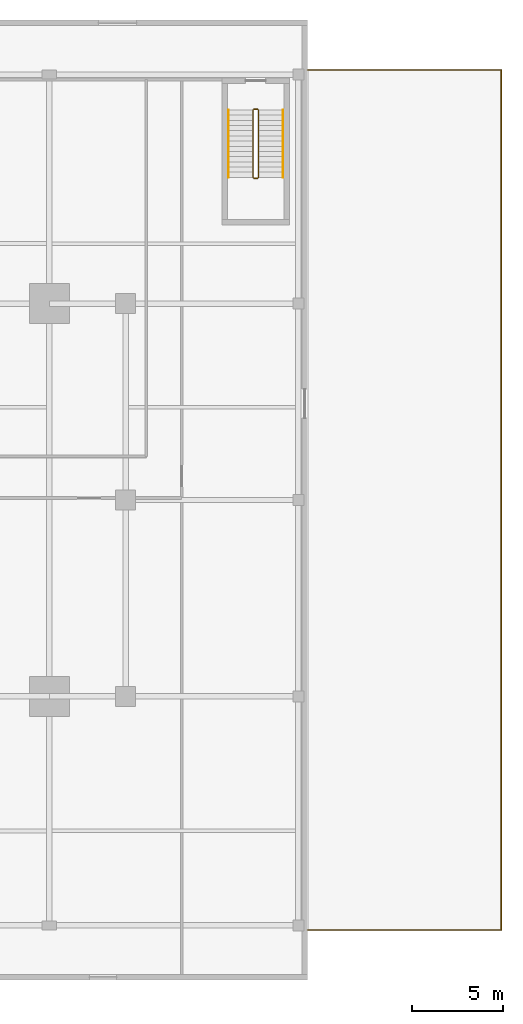
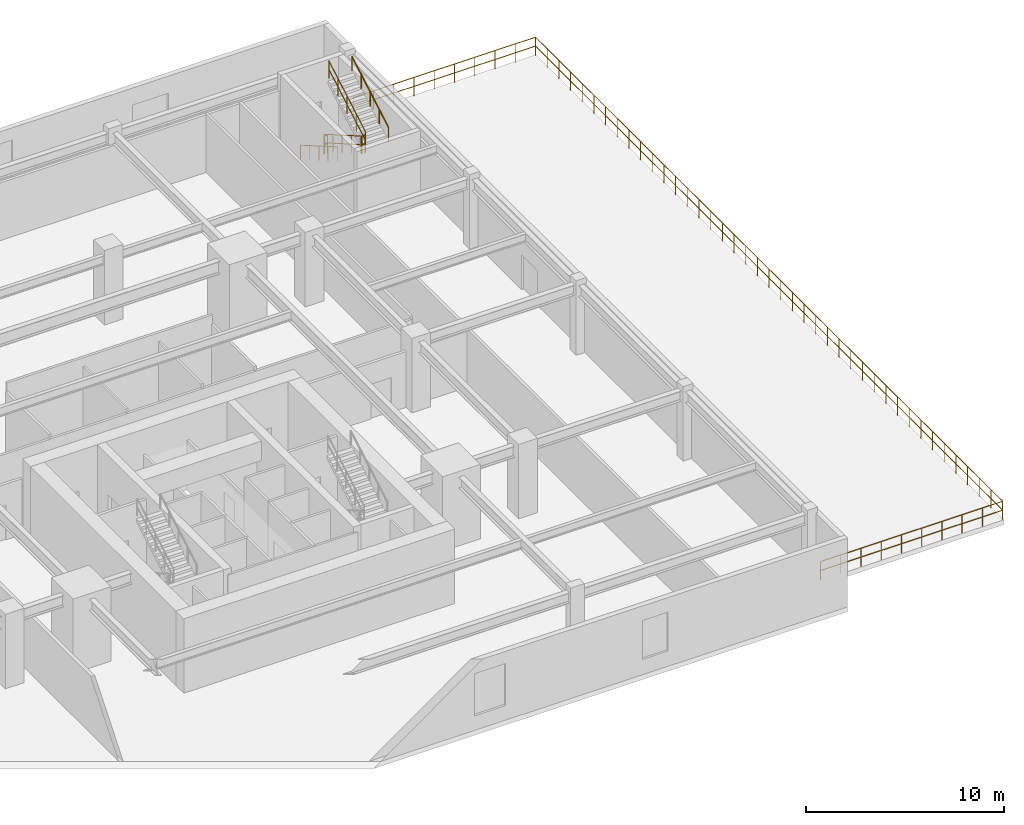
# One storey, part 8 of 9: 9 railings.
"""IFC4 building model written with IfcOpenShell, lengths in metres."""

from ifc_helpers import new_model, si_unit, direction, frame, origin, origin_2d, place, context, subcontext, project, spatial, circle, extrude, material, layer, layer_set, type_object, element, save


model = new_model("IFC4")

# Units and contexts
model_context = context("Model", 3, precision=1e-05, world=origin(), true_north=direction((0.0, 1.0)))
body_context = subcontext(model_context, "Body", "Model", "MODEL_VIEW")
ifc_project = project(units=[si_unit("LENGTHUNIT", "METRE"), si_unit("AREAUNIT", "SQUARE_METRE"), si_unit("VOLUMEUNIT", "CUBIC_METRE"), si_unit("PLANEANGLEUNIT", "RADIAN"), si_unit("MASSUNIT", "GRAM", prefix="KILO")], contexts=[model_context])

# Site, building, storey
site_placement = place(None, origin())
site = spatial("IfcSite", under=ifc_project, at=site_placement, CompositionType="ELEMENT")
building_placement = place(site_placement, origin())
building = spatial("IfcBuilding", under=site, at=building_placement, Name="Krantzveldt Concourse Tower", CompositionType="ELEMENT")
storey_placement = place(building_placement, frame((0.0, 0.0, 15.39990234375)))
storey = spatial("IfcBuildingStorey", under=building, at=storey_placement, Name="L03", CompositionType="ELEMENT", Elevation=15.39990234375)

# Railings
ifc_material = material(Name="Stainless steel 316L", Category="steel")
ifc_layer_1 = layer(ifc_material, 0.080078125, Name="Stainless steel 316L", Category="steel")
ifc_layer_set_1 = layer_set([ifc_layer_1], Name="Stainless steel 316L (RL-BALUSTRADE-1150)")
railing_type_1 = type_object("IfcRailingType", Name="RL-BALUSTRADE-1150", PredefinedType="BALUSTRADE", material=ifc_layer_set_1)
railing_1_placement = place(storey_placement, frame((61.0, 3.050048828125, 0.0)))
element("IfcRailing", 1, at=railing_1_placement, inside=storey, type_object=railing_type_1, Name="GD-L03-TE-01", PredefinedType="BALUSTRADE", context=body_context, shape_type="SweptSolid", body=[
    extrude(circle(Radius=0.02392578125, at=origin_2d()), frame((0.0, 0.0, 1.1259765625), z_axis=(1.0, 0.0, 0.0), x_axis=(0.0, 1.0, 0.0)), (0.0, 0.0, 1.0), 10.64990234375),
    extrude(circle(Radius=0.02392578125, at=origin_2d()), frame((0.0, 0.0, 0.574951171875), z_axis=(1.0, 0.0, 0.0), x_axis=(0.0, 1.0, 0.0)), (0.0, 0.0, 1.0), 10.64990234375),
    extrude(circle(Radius=0.02099609375, at=origin_2d()), origin(), (0.0, 0.0, 1.0), 1.101806640625),
    extrude(circle(Radius=0.02099609375, at=origin_2d()), frame((1.183349609375, 0.0, 0.0)), (0.0, 0.0, 1.0), 1.101806640625),
    extrude(circle(Radius=0.02099609375, at=origin_2d()), frame((2.36669921875, 0.0, 0.0)), (0.0, 0.0, 1.0), 1.101806640625),
    extrude(circle(Radius=0.02099609375, at=origin_2d()), frame((3.550048828125, 0.0, 0.0)), (0.0, 0.0, 1.0), 1.101806640625),
    extrude(circle(Radius=0.02099609375, at=origin_2d()), frame((4.7333984375, 0.0, 0.0)), (0.0, 0.0, 1.0), 1.101806640625),
    extrude(circle(Radius=0.02099609375, at=origin_2d()), frame((5.91650390625, 0.0, 0.0)), (0.0, 0.0, 1.0), 1.101806640625),
    extrude(circle(Radius=0.02099609375, at=origin_2d()), frame((7.099853515625, 0.0, 0.0)), (0.0, 0.0, 1.0), 1.101806640625),
    extrude(circle(Radius=0.02099609375, at=origin_2d()), frame((8.283203125, 0.0, 0.0)), (0.0, 0.0, 1.0), 1.101806640625),
    extrude(circle(Radius=0.02099609375, at=origin_2d()), frame((9.466552734375, 0.0, 0.0)), (0.0, 0.0, 1.0), 1.101806640625),
    extrude(circle(Radius=0.02099609375, at=origin_2d()), frame((10.64990234375, 0.0, 0.0)), (0.0, 0.0, 1.0), 1.101806640625),
])
railing_2_placement = place(storey_placement, frame((71.64990234375, 3.050048828125, 0.0)))
element("IfcRailing", 2, at=railing_2_placement, inside=storey, type_object=railing_type_1, Name="GD-L03-TE-02", PredefinedType="BALUSTRADE", context=body_context, shape_type="SweptSolid", body=[
    extrude(circle(Radius=0.02392578125, at=origin_2d()), frame((0.0, 0.0, 1.1259765625), z_axis=(0.0, 1.0, 0.0), x_axis=(-1.0, 0.0, 0.0)), (0.0, 0.0, 1.0), 47.300048828125),
    extrude(circle(Radius=0.02392578125, at=origin_2d()), frame((0.0, 0.0, 0.574951171875), z_axis=(0.0, 1.0, 0.0), x_axis=(-1.0, 0.0, 0.0)), (0.0, 0.0, 1.0), 47.300048828125),
    extrude(circle(Radius=0.02099609375, at=origin_2d()), origin(), (0.0, 0.0, 1.0), 1.101806640625),
    extrude(circle(Radius=0.02099609375, at=origin_2d()), frame((0.0, 1.1826171875, 0.0)), (0.0, 0.0, 1.0), 1.101806640625),
    extrude(circle(Radius=0.02099609375, at=origin_2d()), frame((0.0, 2.364990234375, 0.0)), (0.0, 0.0, 1.0), 1.101806640625),
    extrude(circle(Radius=0.02099609375, at=origin_2d()), frame((0.0, 3.547607421875, 0.0)), (0.0, 0.0, 1.0), 1.101806640625),
    extrude(circle(Radius=0.02099609375, at=origin_2d()), frame((0.0, 4.72998046875, 0.0)), (0.0, 0.0, 1.0), 1.101806640625),
    extrude(circle(Radius=0.02099609375, at=origin_2d()), frame((0.0, 5.91259765625, 0.0)), (0.0, 0.0, 1.0), 1.101806640625),
    extrude(circle(Radius=0.02099609375, at=origin_2d()), frame((0.0, 7.094970703125, 0.0)), (0.0, 0.0, 1.0), 1.101806640625),
    extrude(circle(Radius=0.02099609375, at=origin_2d()), frame((0.0, 8.277587890625, 0.0)), (0.0, 0.0, 1.0), 1.101806640625),
    extrude(circle(Radius=0.02099609375, at=origin_2d()), frame((0.0, 9.4599609375, 0.0)), (0.0, 0.0, 1.0), 1.101806640625),
    extrude(circle(Radius=0.02099609375, at=origin_2d()), frame((0.0, 10.642578125, 0.0)), (0.0, 0.0, 1.0), 1.101806640625),
    extrude(circle(Radius=0.02099609375, at=origin_2d()), frame((0.0, 11.824951171875, 0.0)), (0.0, 0.0, 1.0), 1.101806640625),
    extrude(circle(Radius=0.02099609375, at=origin_2d()), frame((0.0, 13.007568359375, 0.0)), (0.0, 0.0, 1.0), 1.101806640625),
    extrude(circle(Radius=0.02099609375, at=origin_2d()), frame((0.0, 14.18994140625, 0.0)), (0.0, 0.0, 1.0), 1.101806640625),
    extrude(circle(Radius=0.02099609375, at=origin_2d()), frame((0.0, 15.37255859375, 0.0)), (0.0, 0.0, 1.0), 1.101806640625),
    extrude(circle(Radius=0.02099609375, at=origin_2d()), frame((0.0, 16.554931640625, 0.0)), (0.0, 0.0, 1.0), 1.101806640625),
    extrude(circle(Radius=0.02099609375, at=origin_2d()), frame((0.0, 17.737548828125, 0.0)), (0.0, 0.0, 1.0), 1.101806640625),
    extrude(circle(Radius=0.02099609375, at=origin_2d()), frame((0.0, 18.919921875, 0.0)), (0.0, 0.0, 1.0), 1.101806640625),
    extrude(circle(Radius=0.02099609375, at=origin_2d()), frame((0.0, 20.1025390625, 0.0)), (0.0, 0.0, 1.0), 1.101806640625),
    extrude(circle(Radius=0.02099609375, at=origin_2d()), frame((0.0, 21.284912109375, 0.0)), (0.0, 0.0, 1.0), 1.101806640625),
    extrude(circle(Radius=0.02099609375, at=origin_2d()), frame((0.0, 22.467529296875, 0.0)), (0.0, 0.0, 1.0), 1.101806640625),
    extrude(circle(Radius=0.02099609375, at=origin_2d()), frame((0.0, 23.64990234375, 0.0)), (0.0, 0.0, 1.0), 1.101806640625),
    extrude(circle(Radius=0.02099609375, at=origin_2d()), frame((0.0, 24.83251953125, 0.0)), (0.0, 0.0, 1.0), 1.101806640625),
    extrude(circle(Radius=0.02099609375, at=origin_2d()), frame((0.0, 26.01513671875, 0.0)), (0.0, 0.0, 1.0), 1.101806640625),
    extrude(circle(Radius=0.02099609375, at=origin_2d()), frame((0.0, 27.197509765625, 0.0)), (0.0, 0.0, 1.0), 1.101806640625),
    extrude(circle(Radius=0.02099609375, at=origin_2d()), frame((0.0, 28.380126953125, 0.0)), (0.0, 0.0, 1.0), 1.101806640625),
    extrude(circle(Radius=0.02099609375, at=origin_2d()), frame((0.0, 29.5625, 0.0)), (0.0, 0.0, 1.0), 1.101806640625),
    extrude(circle(Radius=0.02099609375, at=origin_2d()), frame((0.0, 30.7451171875, 0.0)), (0.0, 0.0, 1.0), 1.101806640625),
    extrude(circle(Radius=0.02099609375, at=origin_2d()), frame((0.0, 31.927490234375, 0.0)), (0.0, 0.0, 1.0), 1.101806640625),
    extrude(circle(Radius=0.02099609375, at=origin_2d()), frame((0.0, 33.110107421875, 0.0)), (0.0, 0.0, 1.0), 1.101806640625),
    extrude(circle(Radius=0.02099609375, at=origin_2d()), frame((0.0, 34.29248046875, 0.0)), (0.0, 0.0, 1.0), 1.101806640625),
    extrude(circle(Radius=0.02099609375, at=origin_2d()), frame((0.0, 35.47509765625, 0.0)), (0.0, 0.0, 1.0), 1.101806640625),
    extrude(circle(Radius=0.02099609375, at=origin_2d()), frame((0.0, 36.657470703125, 0.0)), (0.0, 0.0, 1.0), 1.101806640625),
    extrude(circle(Radius=0.02099609375, at=origin_2d()), frame((0.0, 37.840087890625, 0.0)), (0.0, 0.0, 1.0), 1.101806640625),
    extrude(circle(Radius=0.02099609375, at=origin_2d()), frame((0.0, 39.0224609375, 0.0)), (0.0, 0.0, 1.0), 1.101806640625),
    extrude(circle(Radius=0.02099609375, at=origin_2d()), frame((0.0, 40.205078125, 0.0)), (0.0, 0.0, 1.0), 1.101806640625),
    extrude(circle(Radius=0.02099609375, at=origin_2d()), frame((0.0, 41.387451171875, 0.0)), (0.0, 0.0, 1.0), 1.101806640625),
    extrude(circle(Radius=0.02099609375, at=origin_2d()), frame((0.0, 42.570068359375, 0.0)), (0.0, 0.0, 1.0), 1.101806640625),
    extrude(circle(Radius=0.02099609375, at=origin_2d()), frame((0.0, 43.75244140625, 0.0)), (0.0, 0.0, 1.0), 1.101806640625),
    extrude(circle(Radius=0.02099609375, at=origin_2d()), frame((0.0, 44.93505859375, 0.0)), (0.0, 0.0, 1.0), 1.101806640625),
    extrude(circle(Radius=0.02099609375, at=origin_2d()), frame((0.0, 46.117431640625, 0.0)), (0.0, 0.0, 1.0), 1.101806640625),
    extrude(circle(Radius=0.02099609375, at=origin_2d()), frame((0.0, 47.300048828125, 0.0)), (0.0, 0.0, 1.0), 1.101806640625),
])
railing_3_placement = place(storey_placement, frame((71.64990234375, 50.35009765625, 0.0)))
element("IfcRailing", 3, at=railing_3_placement, inside=storey, type_object=railing_type_1, Name="GD-L03-TE-03", PredefinedType="BALUSTRADE", context=body_context, shape_type="SweptSolid", body=[
    extrude(circle(Radius=0.02392578125, at=origin_2d()), frame((0.0, 0.0, 1.1259765625), z_axis=(-1.0, 0.0, 0.0), x_axis=(0.0, -1.0, 0.0)), (0.0, 0.0, 1.0), 10.64990234375),
    extrude(circle(Radius=0.02392578125, at=origin_2d()), frame((0.0, 0.0, 0.574951171875), z_axis=(-1.0, 0.0, 0.0), x_axis=(0.0, -1.0, 0.0)), (0.0, 0.0, 1.0), 10.64990234375),
    extrude(circle(Radius=0.02099609375, at=origin_2d()), origin(), (0.0, 0.0, 1.0), 1.101806640625),
    extrude(circle(Radius=0.02099609375, at=origin_2d()), frame((-1.183349609375, 0.0, 0.0)), (0.0, 0.0, 1.0), 1.101806640625),
    extrude(circle(Radius=0.02099609375, at=origin_2d()), frame((-2.36669921875, 0.0, 0.0)), (0.0, 0.0, 1.0), 1.101806640625),
    extrude(circle(Radius=0.02099609375, at=origin_2d()), frame((-3.550048828125, 0.0, 0.0)), (0.0, 0.0, 1.0), 1.101806640625),
    extrude(circle(Radius=0.02099609375, at=origin_2d()), frame((-4.7333984375, 0.0, 0.0)), (0.0, 0.0, 1.0), 1.101806640625),
    extrude(circle(Radius=0.02099609375, at=origin_2d()), frame((-5.91650390625, 0.0, 0.0)), (0.0, 0.0, 1.0), 1.101806640625),
    extrude(circle(Radius=0.02099609375, at=origin_2d()), frame((-7.099853515625, 0.0, 0.0)), (0.0, 0.0, 1.0), 1.101806640625),
    extrude(circle(Radius=0.02099609375, at=origin_2d()), frame((-8.283203125, 0.0, 0.0)), (0.0, 0.0, 1.0), 1.101806640625),
    extrude(circle(Radius=0.02099609375, at=origin_2d()), frame((-9.466552734375, 0.0, 0.0)), (0.0, 0.0, 1.0), 1.101806640625),
    extrude(circle(Radius=0.02099609375, at=origin_2d()), frame((-10.64990234375, 0.0, 0.0)), (0.0, 0.0, 1.0), 1.101806640625),
])
ifc_layer_2 = layer(ifc_material, 0.06005859375, Name="Stainless steel 316L", Category="steel")
ifc_layer_set_2 = layer_set([ifc_layer_2], Name="Stainless steel 316L (RL-GUARD-1120)")
railing_type_2 = type_object("IfcRailingType", Name="RL-GUARD-1120", PredefinedType="GUARDRAIL", material=ifc_layer_set_2)
railing_4_placement = place(storey_placement, frame((58.0, 48.14990234375, 0.164306640625)))
element("IfcRailing", 4, at=railing_4_placement, inside=storey, type_object=railing_type_2, Name="L03 ST-4 stair guard 1", PredefinedType="GUARDRAIL", context=body_context, shape_type="SweptSolid", body=[
    extrude(circle(Radius=0.02392578125, at=origin_2d()), frame((0.0, 0.0, 1.076171875), z_axis=(0.0, -0.866353768072, 0.499430824586), x_axis=(1.0, 0.0, 0.0)), (0.0, 0.0, 1.0), 4.2763671875),
    extrude(circle(Radius=0.02392578125, at=origin_2d()), frame((0.0, 0.0, 0.550048828125), z_axis=(0.0, -0.866353768072, 0.499430824586), x_axis=(1.0, 0.0, 0.0)), (0.0, 0.0, 1.0), 4.2763671875),
    extrude(circle(Radius=0.02099609375, at=origin_2d()), origin(), (0.0, 0.0, 1.0), 1.052001953125),
    extrude(circle(Radius=0.02099609375, at=origin_2d()), frame((0.0, -0.92626953125, 0.533935546875)), (0.0, 0.0, 1.0), 1.052001953125),
    extrude(circle(Radius=0.02099609375, at=origin_2d()), frame((0.0, -1.8525390625, 1.06787109375)), (0.0, 0.0, 1.0), 1.052001953125),
    extrude(circle(Radius=0.02099609375, at=origin_2d()), frame((0.0, -2.778564453125, 1.601806640625)), (0.0, 0.0, 1.0), 1.052001953125),
    extrude(circle(Radius=0.02099609375, at=origin_2d()), frame((0.0, -3.704833984375, 2.1357421875)), (0.0, 0.0, 1.0), 1.052001953125),
])
railing_5_placement = place(storey_placement, frame((58.050048828125, 44.39501953125, 2.300048828125)))
element("IfcRailing", 5, at=railing_5_placement, inside=storey, type_object=railing_type_2, Name="L03 ST-4 stair guard 2", PredefinedType="GUARDRAIL", context=body_context, shape_type="SweptSolid", body=[
    extrude(circle(Radius=0.02392578125, at=origin_2d()), frame((0.0, 0.0, 1.076171875), z_axis=(1.0, 0.0, 0.0), x_axis=(0.0, 1.0, 0.0)), (0.0, 0.0, 1.0), 0.199951171875),
    extrude(circle(Radius=0.02392578125, at=origin_2d()), frame((0.0, 0.0, 0.550048828125), z_axis=(1.0, 0.0, 0.0), x_axis=(0.0, 1.0, 0.0)), (0.0, 0.0, 1.0), 0.199951171875),
    extrude(circle(Radius=0.02099609375, at=origin_2d()), origin(), (0.0, 0.0, 1.0), 1.052001953125),
    extrude(circle(Radius=0.02099609375, at=origin_2d()), frame((0.199951171875, 0.0, 0.0)), (0.0, 0.0, 1.0), 1.052001953125),
])
railing_6_placement = place(storey_placement, frame((58.300048828125, 44.445068359375, 2.46435546875)))
element("IfcRailing", 6, at=railing_6_placement, inside=storey, type_object=railing_type_2, Name="L03 ST-4 stair guard 3", PredefinedType="GUARDRAIL", context=body_context, shape_type="SweptSolid", body=[
    extrude(circle(Radius=0.02392578125, at=origin_2d()), frame((0.0, 0.0, 1.076171875), z_axis=(0.0, 0.866353768072, 0.499430824586), x_axis=(-1.0, 0.0, 0.0)), (0.0, 0.0, 1.0), 4.2763671875),
    extrude(circle(Radius=0.02392578125, at=origin_2d()), frame((0.0, 0.0, 0.550048828125), z_axis=(0.0, 0.866353768072, 0.499430824586), x_axis=(-1.0, 0.0, 0.0)), (0.0, 0.0, 1.0), 4.2763671875),
    extrude(circle(Radius=0.02099609375, at=origin_2d()), origin(), (0.0, 0.0, 1.0), 1.052001953125),
    extrude(circle(Radius=0.02099609375, at=origin_2d()), frame((0.0, 0.92626953125, 0.533935546875)), (0.0, 0.0, 1.0), 1.052001953125),
    extrude(circle(Radius=0.02099609375, at=origin_2d()), frame((0.0, 1.8525390625, 1.06787109375)), (0.0, 0.0, 1.0), 1.052001953125),
    extrude(circle(Radius=0.02099609375, at=origin_2d()), frame((0.0, 2.778564453125, 1.601806640625)), (0.0, 0.0, 1.0), 1.052001953125),
    extrude(circle(Radius=0.02099609375, at=origin_2d()), frame((0.0, 3.704833984375, 2.1357421875)), (0.0, 0.0, 1.0), 1.052001953125),
])
railing_7_placement = place(storey_placement, frame((58.050048828125, 48.199951171875, 0.0)))
element("IfcRailing", 7, at=railing_7_placement, inside=storey, type_object=railing_type_2, Name="L03 ST-4 stair guard 4", PredefinedType="GUARDRAIL", context=body_context, shape_type="SweptSolid", body=[
    extrude(circle(Radius=0.02392578125, at=origin_2d()), frame((0.0, 0.0, 1.076171875), z_axis=(1.0, 0.0, 0.0), x_axis=(0.0, 1.0, 0.0)), (0.0, 0.0, 1.0), 0.199951171875),
    extrude(circle(Radius=0.02392578125, at=origin_2d()), frame((0.0, 0.0, 0.550048828125), z_axis=(1.0, 0.0, 0.0), x_axis=(0.0, 1.0, 0.0)), (0.0, 0.0, 1.0), 0.199951171875),
    extrude(circle(Radius=0.02099609375, at=origin_2d()), origin(), (0.0, 0.0, 1.0), 1.052001953125),
    extrude(circle(Radius=0.02099609375, at=origin_2d()), frame((0.199951171875, 0.0, 0.0)), (0.0, 0.0, 1.0), 1.052001953125),
])
ifc_layer_3 = layer(ifc_material, 0.050048828125, Name="Stainless steel 316L", Category="steel")
ifc_layer_set_3 = layer_set([ifc_layer_3], Name="Stainless steel 316L (RL-HANDRAIL-920)")
railing_type_3 = type_object("IfcRailingType", Name="RL-HANDRAIL-920", PredefinedType="HANDRAIL", material=ifc_layer_set_3)
railing_8_placement = place(storey_placement, frame((56.64990234375, 48.14990234375, 0.164306640625)))
element("IfcRailing", 8, at=railing_8_placement, inside=storey, type_object=railing_type_3, Name="L03 ST-4 stair handrail 1", PredefinedType="HANDRAIL", context=body_context, shape_type="SweptSolid", body=[
    extrude(circle(Radius=0.02392578125, at=origin_2d()), frame((0.0, 0.0, 0.8759765625), z_axis=(0.0, -0.866353768072, 0.499430824586), x_axis=(1.0, 0.0, 0.0)), (0.0, 0.0, 1.0), 4.2763671875),
    extrude(circle(Radius=0.02099609375, at=origin_2d()), origin(), (0.0, 0.0, 1.0), 0.851806640625),
    extrude(circle(Radius=0.02099609375, at=origin_2d()), frame((0.0, -0.92626953125, 0.533935546875)), (0.0, 0.0, 1.0), 0.851806640625),
    extrude(circle(Radius=0.02099609375, at=origin_2d()), frame((0.0, -1.8525390625, 1.06787109375)), (0.0, 0.0, 1.0), 0.851806640625),
    extrude(circle(Radius=0.02099609375, at=origin_2d()), frame((0.0, -2.778564453125, 1.601806640625)), (0.0, 0.0, 1.0), 0.851806640625),
    extrude(circle(Radius=0.02099609375, at=origin_2d()), frame((0.0, -3.704833984375, 2.1357421875)), (0.0, 0.0, 1.0), 0.851806640625),
])
railing_9_placement = place(storey_placement, frame((59.64990234375, 44.445068359375, 2.46435546875)))
element("IfcRailing", 9, at=railing_9_placement, inside=storey, type_object=railing_type_3, Name="L03 ST-4 stair handrail 2", PredefinedType="HANDRAIL", context=body_context, shape_type="SweptSolid", body=[
    extrude(circle(Radius=0.02392578125, at=origin_2d()), frame((0.0, 0.0, 0.8759765625), z_axis=(0.0, 0.866353768072, 0.499430824586), x_axis=(-1.0, 0.0, 0.0)), (0.0, 0.0, 1.0), 4.2763671875),
    extrude(circle(Radius=0.02099609375, at=origin_2d()), origin(), (0.0, 0.0, 1.0), 0.851806640625),
    extrude(circle(Radius=0.02099609375, at=origin_2d()), frame((0.0, 0.92626953125, 0.533935546875)), (0.0, 0.0, 1.0), 0.851806640625),
    extrude(circle(Radius=0.02099609375, at=origin_2d()), frame((0.0, 1.8525390625, 1.06787109375)), (0.0, 0.0, 1.0), 0.851806640625),
    extrude(circle(Radius=0.02099609375, at=origin_2d()), frame((0.0, 2.778564453125, 1.601806640625)), (0.0, 0.0, 1.0), 0.851806640625),
    extrude(circle(Radius=0.02099609375, at=origin_2d()), frame((0.0, 3.704833984375, 2.1357421875)), (0.0, 0.0, 1.0), 0.851806640625),
])

save(model, "model.ifc")
